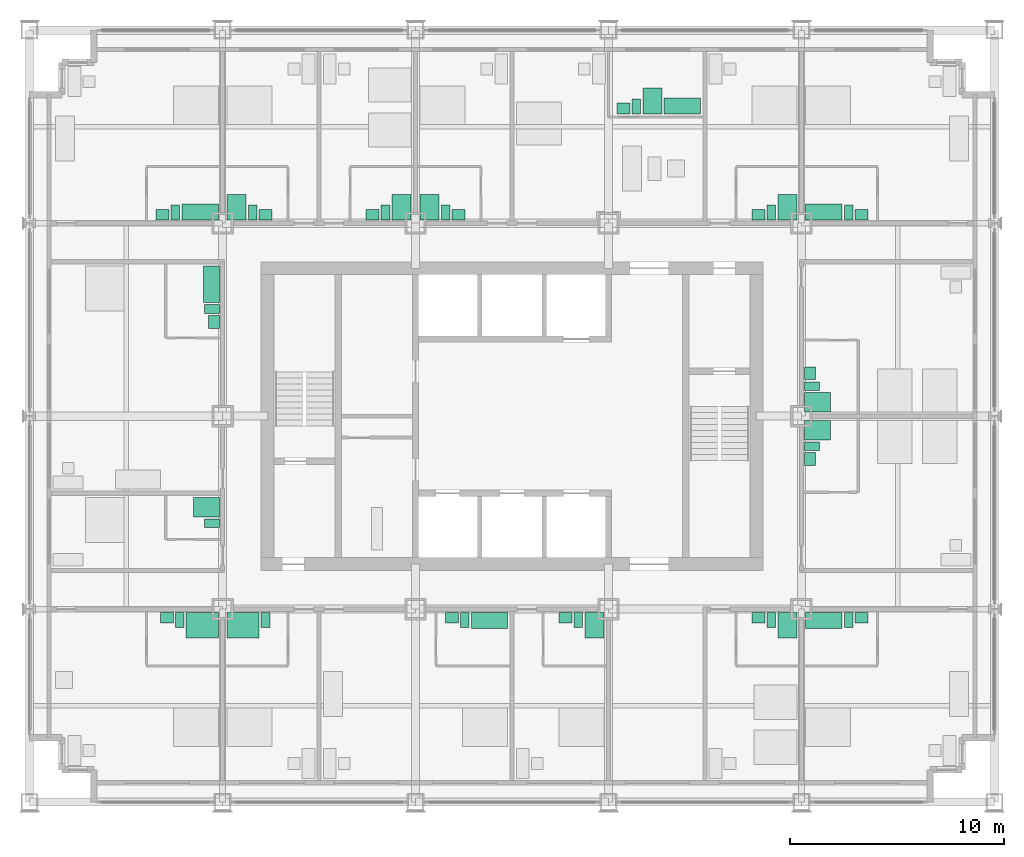
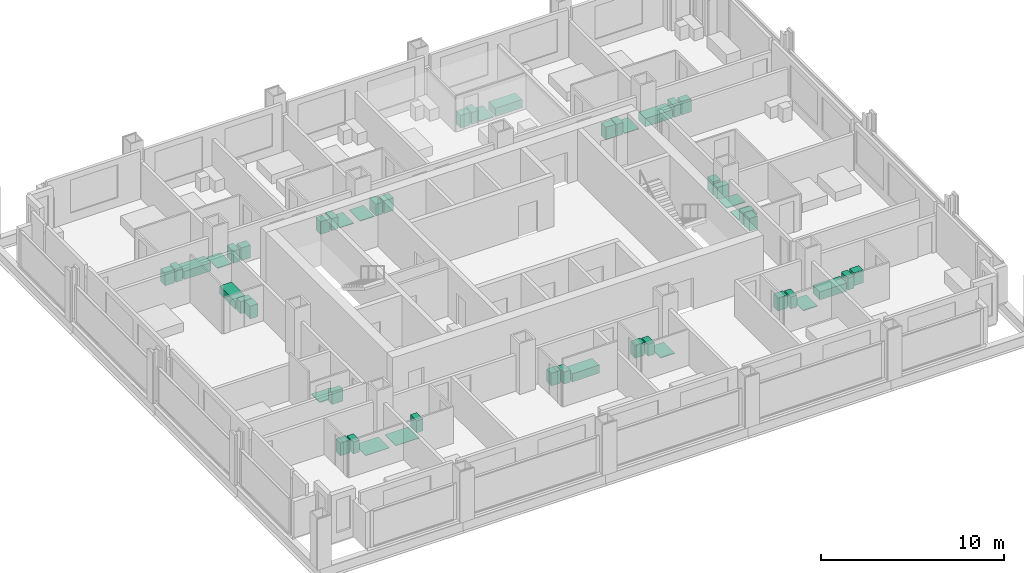
# One storey, part 15 of 16: 50 sanitary terminals.
"""IFC4 building model written with IfcOpenShell, lengths in metres."""

from ifc_helpers import new_model, si_unit, direction, frame, origin, origin_2d, place, context, subcontext, project, spatial, rectangle, extrude, element, save


model = new_model("IFC4")

# Units and contexts
model_context = context("Model", 3, precision=1e-05, world=origin(), true_north=direction((0.0, 1.0)))
body_context = subcontext(model_context, "Body", "Model", "MODEL_VIEW")
ifc_project = project(units=[si_unit("LENGTHUNIT", "METRE"), si_unit("AREAUNIT", "SQUARE_METRE"), si_unit("VOLUMEUNIT", "CUBIC_METRE"), si_unit("PLANEANGLEUNIT", "RADIAN"), si_unit("MASSUNIT", "GRAM", prefix="KILO")], contexts=[model_context])

# Site, building, storey
site_placement = place(None, origin())
site = spatial("IfcSite", under=ifc_project, at=site_placement, CompositionType="ELEMENT")
building_placement = place(site_placement, origin())
building = spatial("IfcBuilding", under=site, at=building_placement, Name="Loomwork Tower", CompositionType="ELEMENT")
storey_placement = place(building_placement, frame((0.0, 0.0, 97.60009765625)))
storey = spatial("IfcBuildingStorey", under=building, at=storey_placement, Name="L25", CompositionType="ELEMENT", Elevation=97.60009765625)

# Sanitary terminals
sanitary_terminal_1_placement = place(storey_placement, frame((8.050048828125, 8.25, 0.0), z_axis=(0.0, 0.0, 1.0), x_axis=(1.0, 0.0, 0.0)))
element("IfcSanitaryTerminal", 1, at=sanitary_terminal_1_placement, inside=storey, Name="Roll-in shower floor L25", PredefinedType="SHOWER", context=body_context, shape_type="SweptSolid", body=[
    extrude(rectangle(XDim=1.5, YDim=1.199951171875, at=origin_2d()), origin(), (0.0, 0.0, 1.0), 0.030029296875),
])
sanitary_terminal_2_placement = place(storey_placement, frame((7.0, 8.5, 0.0), z_axis=(0.0, 0.0, 1.0), x_axis=(1.0, 0.0, 0.0)))
element("IfcSanitaryTerminal", 2, at=sanitary_terminal_2_placement, inside=storey, Name="WC L25", PredefinedType="TOILETPAN", context=body_context, shape_type="SweptSolid", body=[
    extrude(rectangle(XDim=0.39990234375, YDim=0.699951171875, at=origin_2d()), origin(), (0.0, 0.0, 1.0), 0.800048828125),
])
sanitary_terminal_3_placement = place(storey_placement, frame((6.39990234375, 8.60009765625, -0.000244140625), z_axis=(0.0, 0.0, 1.0), x_axis=(1.0, 0.0, 0.0)))
element("IfcSanitaryTerminal", 3, at=sanitary_terminal_3_placement, inside=storey, Name="Basin vanity L25", PredefinedType="WASHHANDBASIN", context=body_context, shape_type="SweptSolid", body=[
    extrude(rectangle(XDim=0.60009765625, YDim=0.5, at=origin_2d()), origin(), (0.0, 0.0, 1.0), 0.85009765625),
])
sanitary_terminal_4_placement = place(storey_placement, frame((9.949951171875, 8.25, 0.0), z_axis=(0.0, 0.0, 1.0), x_axis=(1.0, 0.0, 0.0)))
element("IfcSanitaryTerminal", 4, at=sanitary_terminal_4_placement, inside=storey, Name="Roll-in shower floor L25", PredefinedType="SHOWER", context=body_context, shape_type="SweptSolid", body=[
    extrude(rectangle(XDim=1.5, YDim=1.199951171875, at=origin_2d()), origin(), (0.0, 0.0, 1.0), 0.030029296875),
])
sanitary_terminal_5_placement = place(storey_placement, frame((11.0, 8.5, 0.0), z_axis=(0.0, 0.0, 1.0), x_axis=(1.0, 0.0, 0.0)))
element("IfcSanitaryTerminal", 5, at=sanitary_terminal_5_placement, inside=storey, Name="WC L25", PredefinedType="TOILETPAN", context=body_context, shape_type="SweptSolid", body=[
    extrude(rectangle(XDim=0.39990234375, YDim=0.699951171875, at=origin_2d()), origin(), (0.0, 0.0, 1.0), 0.800048828125),
])
sanitary_terminal_6_placement = place(storey_placement, frame((21.449951171875, 8.47509765625, 0.0), z_axis=(0.0, 0.0, 1.0), x_axis=(1.0, 0.0, 0.0)))
element("IfcSanitaryTerminal", 6, at=sanitary_terminal_6_placement, inside=storey, Name="Bath L25", PredefinedType="BATH", context=body_context, shape_type="SweptSolid", body=[
    extrude(rectangle(XDim=1.699951171875, YDim=0.75, at=origin_2d()), origin(), (0.0, 0.0, 1.0), 0.550048828125),
])
sanitary_terminal_7_placement = place(storey_placement, frame((20.300048828125, 8.5, 0.0), z_axis=(0.0, 0.0, 1.0), x_axis=(1.0, 0.0, 0.0)))
element("IfcSanitaryTerminal", 7, at=sanitary_terminal_7_placement, inside=storey, Name="WC L25", PredefinedType="TOILETPAN", context=body_context, shape_type="SweptSolid", body=[
    extrude(rectangle(XDim=0.39990234375, YDim=0.699951171875, at=origin_2d()), origin(), (0.0, 0.0, 1.0), 0.800048828125),
])
sanitary_terminal_8_placement = place(storey_placement, frame((19.699951171875, 8.60009765625, -0.000244140625), z_axis=(0.0, 0.0, 1.0), x_axis=(1.0, 0.0, 0.0)))
element("IfcSanitaryTerminal", 8, at=sanitary_terminal_8_placement, inside=storey, Name="Basin vanity L25", PredefinedType="WASHHANDBASIN", context=body_context, shape_type="SweptSolid", body=[
    extrude(rectangle(XDim=0.60009765625, YDim=0.5, at=origin_2d()), origin(), (0.0, 0.0, 1.0), 0.85009765625),
])
sanitary_terminal_9_placement = place(storey_placement, frame((26.35009765625, 8.25, 0.0), z_axis=(0.0, 0.0, 1.0), x_axis=(1.0, 0.0, 0.0)))
element("IfcSanitaryTerminal", 9, at=sanitary_terminal_9_placement, inside=storey, Name="Shower tray L25", PredefinedType="SHOWER", context=body_context, shape_type="SweptSolid", body=[
    extrude(rectangle(XDim=0.89990234375, YDim=1.199951171875, at=origin_2d()), origin(), (0.0, 0.0, 1.0), 0.050048828125),
])
sanitary_terminal_10_placement = place(storey_placement, frame((25.60009765625, 8.5, 0.0), z_axis=(0.0, 0.0, 1.0), x_axis=(1.0, 0.0, 0.0)))
element("IfcSanitaryTerminal", 10, at=sanitary_terminal_10_placement, inside=storey, Name="WC L25", PredefinedType="TOILETPAN", context=body_context, shape_type="SweptSolid", body=[
    extrude(rectangle(XDim=0.39990234375, YDim=0.699951171875, at=origin_2d()), origin(), (0.0, 0.0, 1.0), 0.800048828125),
])
sanitary_terminal_11_placement = place(storey_placement, frame((25.0, 8.60009765625, -0.000244140625), z_axis=(0.0, 0.0, 1.0), x_axis=(1.0, 0.0, 0.0)))
element("IfcSanitaryTerminal", 11, at=sanitary_terminal_11_placement, inside=storey, Name="Basin vanity L25", PredefinedType="WASHHANDBASIN", context=body_context, shape_type="SweptSolid", body=[
    extrude(rectangle(XDim=0.60009765625, YDim=0.5, at=origin_2d()), origin(), (0.0, 0.0, 1.0), 0.85009765625),
])
sanitary_terminal_12_placement = place(storey_placement, frame((35.35009765625, 8.25, 0.0), z_axis=(0.0, 0.0, 1.0), x_axis=(1.0, 0.0, 0.0)))
element("IfcSanitaryTerminal", 12, at=sanitary_terminal_12_placement, inside=storey, Name="Shower tray L25", PredefinedType="SHOWER", context=body_context, shape_type="SweptSolid", body=[
    extrude(rectangle(XDim=0.89990234375, YDim=1.199951171875, at=origin_2d()), origin(), (0.0, 0.0, 1.0), 0.050048828125),
])
sanitary_terminal_13_placement = place(storey_placement, frame((34.60009765625, 8.5, 0.0), z_axis=(0.0, 0.0, 1.0), x_axis=(1.0, 0.0, 0.0)))
element("IfcSanitaryTerminal", 13, at=sanitary_terminal_13_placement, inside=storey, Name="WC L25", PredefinedType="TOILETPAN", context=body_context, shape_type="SweptSolid", body=[
    extrude(rectangle(XDim=0.39990234375, YDim=0.699951171875, at=origin_2d()), origin(), (0.0, 0.0, 1.0), 0.800048828125),
])
sanitary_terminal_14_placement = place(storey_placement, frame((34.0, 8.60009765625, -0.000244140625), z_axis=(0.0, 0.0, 1.0), x_axis=(1.0, 0.0, 0.0)))
element("IfcSanitaryTerminal", 14, at=sanitary_terminal_14_placement, inside=storey, Name="Basin vanity L25", PredefinedType="WASHHANDBASIN", context=body_context, shape_type="SweptSolid", body=[
    extrude(rectangle(XDim=0.60009765625, YDim=0.5, at=origin_2d()), origin(), (0.0, 0.0, 1.0), 0.85009765625),
])
sanitary_terminal_15_placement = place(storey_placement, frame((37.050048828125, 8.47509765625, 0.0), z_axis=(0.0, 0.0, 1.0), x_axis=(1.0, 0.0, 0.0)))
element("IfcSanitaryTerminal", 15, at=sanitary_terminal_15_placement, inside=storey, Name="Bath L25", PredefinedType="BATH", context=body_context, shape_type="SweptSolid", body=[
    extrude(rectangle(XDim=1.699951171875, YDim=0.75, at=origin_2d()), origin(), (0.0, 0.0, 1.0), 0.550048828125),
])
sanitary_terminal_16_placement = place(storey_placement, frame((38.199951171875, 8.5, 0.0), z_axis=(0.0, 0.0, 1.0), x_axis=(1.0, 0.0, 0.0)))
element("IfcSanitaryTerminal", 16, at=sanitary_terminal_16_placement, inside=storey, Name="WC L25", PredefinedType="TOILETPAN", context=body_context, shape_type="SweptSolid", body=[
    extrude(rectangle(XDim=0.39990234375, YDim=0.699951171875, at=origin_2d()), origin(), (0.0, 0.0, 1.0), 0.800048828125),
])
sanitary_terminal_17_placement = place(storey_placement, frame((38.800048828125, 8.60009765625, -0.000244140625), z_axis=(0.0, 0.0, 1.0), x_axis=(1.0, 0.0, 0.0)))
element("IfcSanitaryTerminal", 17, at=sanitary_terminal_17_placement, inside=storey, Name="Basin vanity L25", PredefinedType="WASHHANDBASIN", context=body_context, shape_type="SweptSolid", body=[
    extrude(rectangle(XDim=0.60009765625, YDim=0.5, at=origin_2d()), origin(), (0.0, 0.0, 1.0), 0.85009765625),
])
sanitary_terminal_18_placement = place(storey_placement, frame((7.949951171875, 27.52490234375, 0.0), z_axis=(0.0, 0.0, 1.0), x_axis=(1.0, 0.0, 0.0)))
element("IfcSanitaryTerminal", 18, at=sanitary_terminal_18_placement, inside=storey, Name="Bath L25", PredefinedType="BATH", context=body_context, shape_type="SweptSolid", body=[
    extrude(rectangle(XDim=1.699951171875, YDim=0.75, at=origin_2d()), origin(), (0.0, 0.0, 1.0), 0.550048828125),
])
sanitary_terminal_19_placement = place(storey_placement, frame((6.800048828125, 27.5, 0.0), z_axis=(0.0, 0.0, 1.0), x_axis=(1.0, 0.0, 0.0)))
element("IfcSanitaryTerminal", 19, at=sanitary_terminal_19_placement, inside=storey, Name="WC L25", PredefinedType="TOILETPAN", context=body_context, shape_type="SweptSolid", body=[
    extrude(rectangle(XDim=0.39990234375, YDim=0.699951171875, at=origin_2d()), origin(), (0.0, 0.0, 1.0), 0.800048828125),
])
sanitary_terminal_20_placement = place(storey_placement, frame((6.199951171875, 27.39990234375, -0.000244140625), z_axis=(0.0, 0.0, 1.0), x_axis=(1.0, 0.0, 0.0)))
element("IfcSanitaryTerminal", 20, at=sanitary_terminal_20_placement, inside=storey, Name="Basin vanity L25", PredefinedType="WASHHANDBASIN", context=body_context, shape_type="SweptSolid", body=[
    extrude(rectangle(XDim=0.60009765625, YDim=0.5, at=origin_2d()), origin(), (0.0, 0.0, 1.0), 0.85009765625),
])
sanitary_terminal_21_placement = place(storey_placement, frame((9.64990234375, 27.75, 0.0), z_axis=(0.0, 0.0, 1.0), x_axis=(1.0, 0.0, 0.0)))
element("IfcSanitaryTerminal", 21, at=sanitary_terminal_21_placement, inside=storey, Name="Shower tray L25", PredefinedType="SHOWER", context=body_context, shape_type="SweptSolid", body=[
    extrude(rectangle(XDim=0.89990234375, YDim=1.199951171875, at=origin_2d()), origin(), (0.0, 0.0, 1.0), 0.050048828125),
])
sanitary_terminal_22_placement = place(storey_placement, frame((10.39990234375, 27.5, 0.0), z_axis=(0.0, 0.0, 1.0), x_axis=(1.0, 0.0, 0.0)))
element("IfcSanitaryTerminal", 22, at=sanitary_terminal_22_placement, inside=storey, Name="WC L25", PredefinedType="TOILETPAN", context=body_context, shape_type="SweptSolid", body=[
    extrude(rectangle(XDim=0.39990234375, YDim=0.699951171875, at=origin_2d()), origin(), (0.0, 0.0, 1.0), 0.800048828125),
])
sanitary_terminal_23_placement = place(storey_placement, frame((11.0, 27.39990234375, -0.000244140625), z_axis=(0.0, 0.0, 1.0), x_axis=(1.0, 0.0, 0.0)))
element("IfcSanitaryTerminal", 23, at=sanitary_terminal_23_placement, inside=storey, Name="Basin vanity L25", PredefinedType="WASHHANDBASIN", context=body_context, shape_type="SweptSolid", body=[
    extrude(rectangle(XDim=0.60009765625, YDim=0.5, at=origin_2d()), origin(), (0.0, 0.0, 1.0), 0.85009765625),
])
sanitary_terminal_24_placement = place(storey_placement, frame((17.35009765625, 27.75, 0.0), z_axis=(0.0, 0.0, 1.0), x_axis=(1.0, 0.0, 0.0)))
element("IfcSanitaryTerminal", 24, at=sanitary_terminal_24_placement, inside=storey, Name="Shower tray L25", PredefinedType="SHOWER", context=body_context, shape_type="SweptSolid", body=[
    extrude(rectangle(XDim=0.89990234375, YDim=1.199951171875, at=origin_2d()), origin(), (0.0, 0.0, 1.0), 0.050048828125),
])
sanitary_terminal_25_placement = place(storey_placement, frame((16.60009765625, 27.5, 0.0), z_axis=(0.0, 0.0, 1.0), x_axis=(1.0, 0.0, 0.0)))
element("IfcSanitaryTerminal", 25, at=sanitary_terminal_25_placement, inside=storey, Name="WC L25", PredefinedType="TOILETPAN", context=body_context, shape_type="SweptSolid", body=[
    extrude(rectangle(XDim=0.39990234375, YDim=0.699951171875, at=origin_2d()), origin(), (0.0, 0.0, 1.0), 0.800048828125),
])
sanitary_terminal_26_placement = place(storey_placement, frame((16.0, 27.39990234375, -0.000244140625), z_axis=(0.0, 0.0, 1.0), x_axis=(1.0, 0.0, 0.0)))
element("IfcSanitaryTerminal", 26, at=sanitary_terminal_26_placement, inside=storey, Name="Basin vanity L25", PredefinedType="WASHHANDBASIN", context=body_context, shape_type="SweptSolid", body=[
    extrude(rectangle(XDim=0.60009765625, YDim=0.5, at=origin_2d()), origin(), (0.0, 0.0, 1.0), 0.85009765625),
])
sanitary_terminal_27_placement = place(storey_placement, frame((18.64990234375, 27.75, 0.0), z_axis=(0.0, 0.0, 1.0), x_axis=(1.0, 0.0, 0.0)))
element("IfcSanitaryTerminal", 27, at=sanitary_terminal_27_placement, inside=storey, Name="Shower tray L25", PredefinedType="SHOWER", context=body_context, shape_type="SweptSolid", body=[
    extrude(rectangle(XDim=0.89990234375, YDim=1.199951171875, at=origin_2d()), origin(), (0.0, 0.0, 1.0), 0.050048828125),
])
sanitary_terminal_28_placement = place(storey_placement, frame((19.39990234375, 27.5, 0.0), z_axis=(0.0, 0.0, 1.0), x_axis=(1.0, 0.0, 0.0)))
element("IfcSanitaryTerminal", 28, at=sanitary_terminal_28_placement, inside=storey, Name="WC L25", PredefinedType="TOILETPAN", context=body_context, shape_type="SweptSolid", body=[
    extrude(rectangle(XDim=0.39990234375, YDim=0.699951171875, at=origin_2d()), origin(), (0.0, 0.0, 1.0), 0.800048828125),
])
sanitary_terminal_29_placement = place(storey_placement, frame((20.0, 27.39990234375, -0.000244140625), z_axis=(0.0, 0.0, 1.0), x_axis=(1.0, 0.0, 0.0)))
element("IfcSanitaryTerminal", 29, at=sanitary_terminal_29_placement, inside=storey, Name="Basin vanity L25", PredefinedType="WASHHANDBASIN", context=body_context, shape_type="SweptSolid", body=[
    extrude(rectangle(XDim=0.60009765625, YDim=0.5, at=origin_2d()), origin(), (0.0, 0.0, 1.0), 0.85009765625),
])
sanitary_terminal_30_placement = place(storey_placement, frame((30.449951171875, 32.47509765625, 0.0), z_axis=(0.0, 0.0, 1.0), x_axis=(1.0, 0.0, 0.0)))
element("IfcSanitaryTerminal", 30, at=sanitary_terminal_30_placement, inside=storey, Name="Bath L25", PredefinedType="BATH", context=body_context, shape_type="SweptSolid", body=[
    extrude(rectangle(XDim=1.699951171875, YDim=0.75, at=origin_2d()), origin(), (0.0, 0.0, 1.0), 0.550048828125),
])
sanitary_terminal_31_placement = place(storey_placement, frame((29.050048828125, 32.699951171875, 0.0), z_axis=(0.0, 0.0, 1.0), x_axis=(1.0, 0.0, 0.0)))
element("IfcSanitaryTerminal", 31, at=sanitary_terminal_31_placement, inside=storey, Name="Shower tray L25", PredefinedType="SHOWER", context=body_context, shape_type="SweptSolid", body=[
    extrude(rectangle(XDim=0.89990234375, YDim=1.199951171875, at=origin_2d()), origin(), (0.0, 0.0, 1.0), 0.050048828125),
])
sanitary_terminal_32_placement = place(storey_placement, frame((28.300048828125, 32.449951171875, 0.0), z_axis=(0.0, 0.0, 1.0), x_axis=(1.0, 0.0, 0.0)))
element("IfcSanitaryTerminal", 32, at=sanitary_terminal_32_placement, inside=storey, Name="WC L25", PredefinedType="TOILETPAN", context=body_context, shape_type="SweptSolid", body=[
    extrude(rectangle(XDim=0.39990234375, YDim=0.699951171875, at=origin_2d()), origin(), (0.0, 0.0, 1.0), 0.800048828125),
])
sanitary_terminal_33_placement = place(storey_placement, frame((27.699951171875, 32.35009765625, -0.000244140625), z_axis=(0.0, 0.0, 1.0), x_axis=(1.0, 0.0, 0.0)))
element("IfcSanitaryTerminal", 33, at=sanitary_terminal_33_placement, inside=storey, Name="Basin vanity L25", PredefinedType="WASHHANDBASIN", context=body_context, shape_type="SweptSolid", body=[
    extrude(rectangle(XDim=0.60009765625, YDim=0.5, at=origin_2d()), origin(), (0.0, 0.0, 1.0), 0.85009765625),
])
sanitary_terminal_34_placement = place(storey_placement, frame((35.35009765625, 27.75, 0.0), z_axis=(0.0, 0.0, 1.0), x_axis=(1.0, 0.0, 0.0)))
element("IfcSanitaryTerminal", 34, at=sanitary_terminal_34_placement, inside=storey, Name="Shower tray L25", PredefinedType="SHOWER", context=body_context, shape_type="SweptSolid", body=[
    extrude(rectangle(XDim=0.89990234375, YDim=1.199951171875, at=origin_2d()), origin(), (0.0, 0.0, 1.0), 0.050048828125),
])
sanitary_terminal_35_placement = place(storey_placement, frame((34.60009765625, 27.5, 0.0), z_axis=(0.0, 0.0, 1.0), x_axis=(1.0, 0.0, 0.0)))
element("IfcSanitaryTerminal", 35, at=sanitary_terminal_35_placement, inside=storey, Name="WC L25", PredefinedType="TOILETPAN", context=body_context, shape_type="SweptSolid", body=[
    extrude(rectangle(XDim=0.39990234375, YDim=0.699951171875, at=origin_2d()), origin(), (0.0, 0.0, 1.0), 0.800048828125),
])
sanitary_terminal_36_placement = place(storey_placement, frame((34.0, 27.39990234375, -0.000244140625), z_axis=(0.0, 0.0, 1.0), x_axis=(1.0, 0.0, 0.0)))
element("IfcSanitaryTerminal", 36, at=sanitary_terminal_36_placement, inside=storey, Name="Basin vanity L25", PredefinedType="WASHHANDBASIN", context=body_context, shape_type="SweptSolid", body=[
    extrude(rectangle(XDim=0.60009765625, YDim=0.5, at=origin_2d()), origin(), (0.0, 0.0, 1.0), 0.85009765625),
])
sanitary_terminal_37_placement = place(storey_placement, frame((37.050048828125, 27.52490234375, 0.0), z_axis=(0.0, 0.0, 1.0), x_axis=(1.0, 0.0, 0.0)))
element("IfcSanitaryTerminal", 37, at=sanitary_terminal_37_placement, inside=storey, Name="Bath L25", PredefinedType="BATH", context=body_context, shape_type="SweptSolid", body=[
    extrude(rectangle(XDim=1.699951171875, YDim=0.75, at=origin_2d()), origin(), (0.0, 0.0, 1.0), 0.550048828125),
])
sanitary_terminal_38_placement = place(storey_placement, frame((38.199951171875, 27.5, 0.0), z_axis=(0.0, 0.0, 1.0), x_axis=(1.0, 0.0, 0.0)))
element("IfcSanitaryTerminal", 38, at=sanitary_terminal_38_placement, inside=storey, Name="WC L25", PredefinedType="TOILETPAN", context=body_context, shape_type="SweptSolid", body=[
    extrude(rectangle(XDim=0.39990234375, YDim=0.699951171875, at=origin_2d()), origin(), (0.0, 0.0, 1.0), 0.800048828125),
])
sanitary_terminal_39_placement = place(storey_placement, frame((38.800048828125, 27.39990234375, -0.000244140625), z_axis=(0.0, 0.0, 1.0), x_axis=(1.0, 0.0, 0.0)))
element("IfcSanitaryTerminal", 39, at=sanitary_terminal_39_placement, inside=storey, Name="Basin vanity L25", PredefinedType="WASHHANDBASIN", context=body_context, shape_type="SweptSolid", body=[
    extrude(rectangle(XDim=0.60009765625, YDim=0.5, at=origin_2d()), origin(), (0.0, 0.0, 1.0), 0.85009765625),
])
sanitary_terminal_40_placement = place(storey_placement, frame((8.25, 13.75, 0.0), z_axis=(0.0, 0.0, 1.0), x_axis=(1.0, 0.0, 0.0)))
element("IfcSanitaryTerminal", 40, at=sanitary_terminal_40_placement, inside=storey, Name="Shower tray L25", PredefinedType="SHOWER", context=body_context, shape_type="SweptSolid", body=[
    extrude(rectangle(XDim=1.199951171875, YDim=0.89990234375, at=origin_2d()), origin(), (0.0, 0.0, 1.0), 0.050048828125),
])
sanitary_terminal_41_placement = place(storey_placement, frame((8.5, 13.0, 0.0), z_axis=(0.0, 0.0, 1.0), x_axis=(1.0, 0.0, 0.0)))
element("IfcSanitaryTerminal", 41, at=sanitary_terminal_41_placement, inside=storey, Name="WC L25", PredefinedType="TOILETPAN", context=body_context, shape_type="SweptSolid", body=[
    extrude(rectangle(XDim=0.699951171875, YDim=0.39990234375, at=origin_2d()), origin(), (0.0, 0.0, 1.0), 0.800048828125),
])
sanitary_terminal_42_placement = place(storey_placement, frame((8.47509765625, 24.14990234375, 0.0), z_axis=(0.0, 0.0, 1.0), x_axis=(1.0, 0.0, 0.0)))
element("IfcSanitaryTerminal", 42, at=sanitary_terminal_42_placement, inside=storey, Name="Bath L25", PredefinedType="BATH", context=body_context, shape_type="SweptSolid", body=[
    extrude(rectangle(XDim=0.75, YDim=1.699951171875, at=origin_2d()), origin(), (0.0, 0.0, 1.0), 0.550048828125),
])
sanitary_terminal_43_placement = place(storey_placement, frame((8.5, 23.0, 0.0), z_axis=(0.0, 0.0, 1.0), x_axis=(1.0, 0.0, 0.0)))
element("IfcSanitaryTerminal", 43, at=sanitary_terminal_43_placement, inside=storey, Name="WC L25", PredefinedType="TOILETPAN", context=body_context, shape_type="SweptSolid", body=[
    extrude(rectangle(XDim=0.699951171875, YDim=0.39990234375, at=origin_2d()), origin(), (0.0, 0.0, 1.0), 0.800048828125),
])
sanitary_terminal_44_placement = place(storey_placement, frame((8.60009765625, 22.39990234375, -0.000244140625), z_axis=(0.0, 0.0, 1.0), x_axis=(1.0, 0.0, 0.0)))
element("IfcSanitaryTerminal", 44, at=sanitary_terminal_44_placement, inside=storey, Name="Basin vanity L25", PredefinedType="WASHHANDBASIN", context=body_context, shape_type="SweptSolid", body=[
    extrude(rectangle(XDim=0.5, YDim=0.60009765625, at=origin_2d()), origin(), (0.0, 0.0, 1.0), 0.85009765625),
])
sanitary_terminal_45_placement = place(storey_placement, frame((36.75, 17.35009765625, 0.0), z_axis=(0.0, 0.0, 1.0), x_axis=(1.0, 0.0, 0.0)))
element("IfcSanitaryTerminal", 45, at=sanitary_terminal_45_placement, inside=storey, Name="Shower tray L25", PredefinedType="SHOWER", context=body_context, shape_type="SweptSolid", body=[
    extrude(rectangle(XDim=1.199951171875, YDim=0.89990234375, at=origin_2d()), origin(), (0.0, 0.0, 1.0), 0.050048828125),
])
sanitary_terminal_46_placement = place(storey_placement, frame((36.5, 16.60009765625, 0.0), z_axis=(0.0, 0.0, 1.0), x_axis=(1.0, 0.0, 0.0)))
element("IfcSanitaryTerminal", 46, at=sanitary_terminal_46_placement, inside=storey, Name="WC L25", PredefinedType="TOILETPAN", context=body_context, shape_type="SweptSolid", body=[
    extrude(rectangle(XDim=0.699951171875, YDim=0.39990234375, at=origin_2d()), origin(), (0.0, 0.0, 1.0), 0.800048828125),
])
sanitary_terminal_47_placement = place(storey_placement, frame((36.39990234375, 16.0, -0.000244140625), z_axis=(0.0, 0.0, 1.0), x_axis=(1.0, 0.0, 0.0)))
element("IfcSanitaryTerminal", 47, at=sanitary_terminal_47_placement, inside=storey, Name="Basin vanity L25", PredefinedType="WASHHANDBASIN", context=body_context, shape_type="SweptSolid", body=[
    extrude(rectangle(XDim=0.5, YDim=0.60009765625, at=origin_2d()), origin(), (0.0, 0.0, 1.0), 0.85009765625),
])
sanitary_terminal_48_placement = place(storey_placement, frame((36.75, 18.64990234375, 0.0), z_axis=(0.0, 0.0, 1.0), x_axis=(1.0, 0.0, 0.0)))
element("IfcSanitaryTerminal", 48, at=sanitary_terminal_48_placement, inside=storey, Name="Shower tray L25", PredefinedType="SHOWER", context=body_context, shape_type="SweptSolid", body=[
    extrude(rectangle(XDim=1.199951171875, YDim=0.89990234375, at=origin_2d()), origin(), (0.0, 0.0, 1.0), 0.050048828125),
])
sanitary_terminal_49_placement = place(storey_placement, frame((36.5, 19.39990234375, 0.0), z_axis=(0.0, 0.0, 1.0), x_axis=(1.0, 0.0, 0.0)))
element("IfcSanitaryTerminal", 49, at=sanitary_terminal_49_placement, inside=storey, Name="WC L25", PredefinedType="TOILETPAN", context=body_context, shape_type="SweptSolid", body=[
    extrude(rectangle(XDim=0.699951171875, YDim=0.39990234375, at=origin_2d()), origin(), (0.0, 0.0, 1.0), 0.800048828125),
])
sanitary_terminal_50_placement = place(storey_placement, frame((36.39990234375, 20.0, -0.000244140625), z_axis=(0.0, 0.0, 1.0), x_axis=(1.0, 0.0, 0.0)))
element("IfcSanitaryTerminal", 50, at=sanitary_terminal_50_placement, inside=storey, Name="Basin vanity L25", PredefinedType="WASHHANDBASIN", context=body_context, shape_type="SweptSolid", body=[
    extrude(rectangle(XDim=0.5, YDim=0.60009765625, at=origin_2d()), origin(), (0.0, 0.0, 1.0), 0.85009765625),
])

save(model, "model.ifc")
